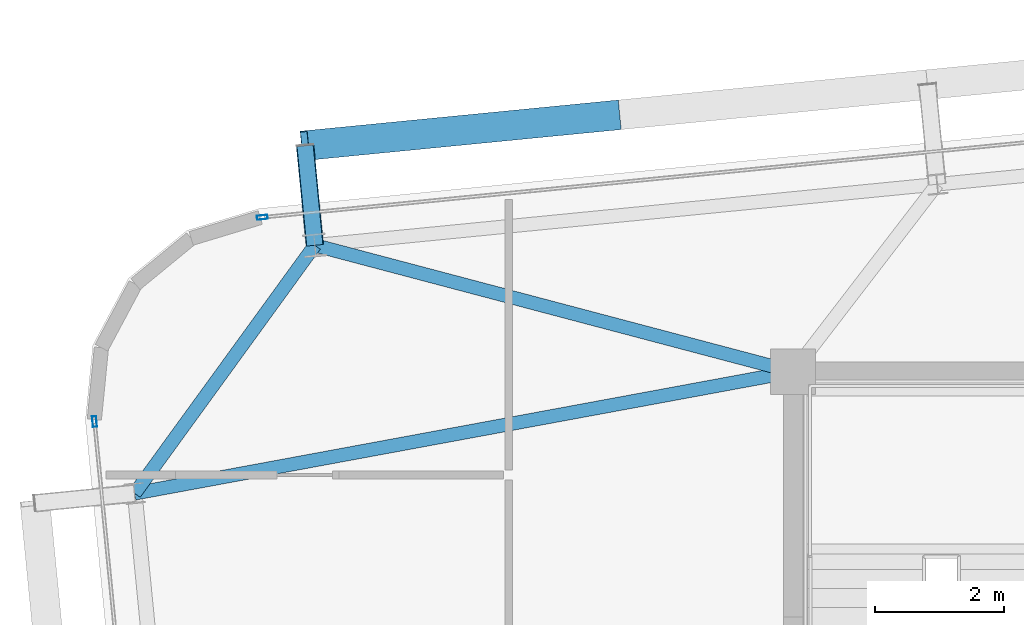
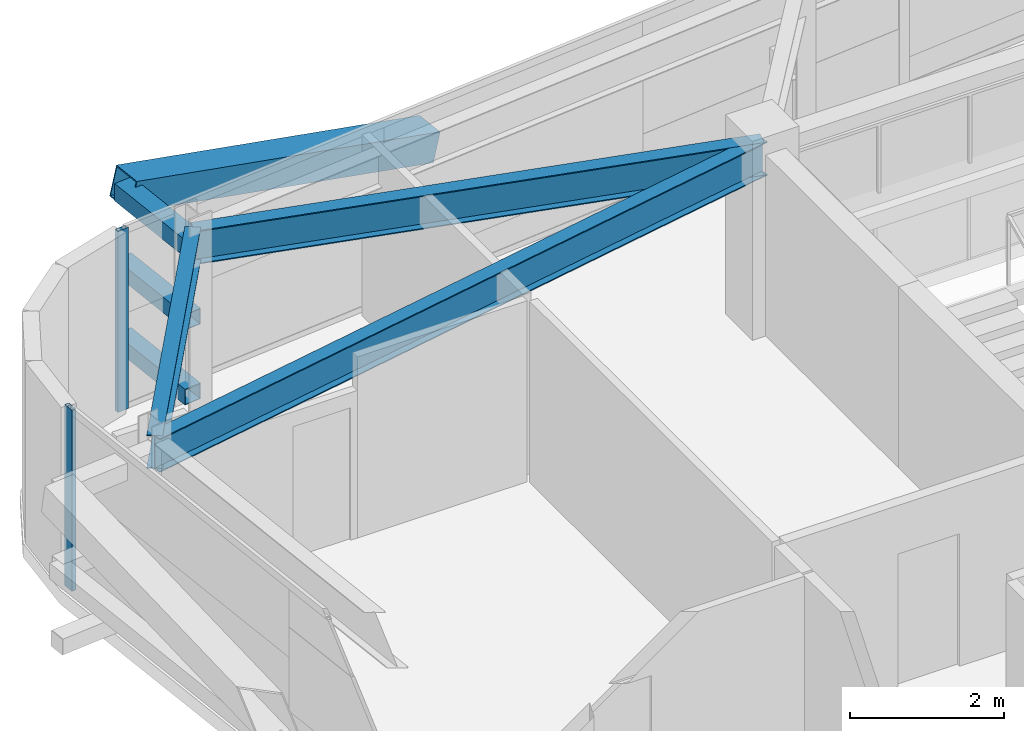
# One storey, part 24 of 47: 6 members, 3 beams, 2 elements without a shape of their own.
"""IFC4 building model written with IfcOpenShell, lengths in metres."""

from ifc_helpers import new_model, si_unit, direction, frame, origin, origin_2d, place, context, subcontext, project, spatial, hollow_rectangle, i_section, extrude, source, transform, mapped, material, layer, layer_set, material_profile, profile_set, type_object, element, aggregate, save


model = new_model("IFC4")

# Units and contexts
model_context = context("Model", 3, precision=1e-05, world=origin(), true_north=direction((0.0, 1.0)))
body_context = subcontext(model_context, "Body", "Model", "MODEL_VIEW")
ifc_project = project(units=[si_unit("LENGTHUNIT", "METRE"), si_unit("AREAUNIT", "SQUARE_METRE"), si_unit("VOLUMEUNIT", "CUBIC_METRE"), si_unit("PLANEANGLEUNIT", "RADIAN"), si_unit("MASSUNIT", "GRAM", prefix="KILO")], contexts=[model_context])

# Site, building, storey
site_placement = place(None, origin())
site = spatial("IfcSite", under=ifc_project, at=site_placement, CompositionType="ELEMENT")
building_placement = place(site_placement, origin())
building = spatial("IfcBuilding", under=site, at=building_placement, Name="Taldren Reach Tower", CompositionType="ELEMENT")
storey_placement = place(building_placement, frame((0.0, 0.0, 109.199951171875)))
storey = spatial("IfcBuildingStorey", under=building, at=storey_placement, Name="L33", CompositionType="ELEMENT", Elevation=109.199951171875)

# Beams
ifc_material_1 = material(Name="Steel Gr 350 (350PLUS)", Category="steel")
ifc_material_profile_1 = material_profile(ifc_material_1, i_section(OverallWidth=0.208984375, OverallDepth=0.528076171875, WebThickness=0.009521484375, FlangeThickness=0.01318359375, at=origin_2d()), Name="530UB82.0")
ifc_profile_set_1 = profile_set([ifc_material_profile_1], Name="Steel Gr 350 (350PLUS)")
beam_type_1 = type_object("IfcBeamType", Name="SP-UB530B", PredefinedType="SPANDREL", material=ifc_profile_set_1)
shared_shape_1 = source(origin(), body_context, "Body", "SweptSolid", [
    extrude(i_section(OverallWidth=0.208984375, OverallDepth=0.528076171875, WebThickness=0.009521484375, FlangeThickness=0.01318359375, at=origin_2d()), origin(), (0.0, 0.0, 1.0), 4.74609375),
])
beam_1_placement = place(storey_placement, frame((11.596923828125, 33.956787109375, 2.60595703125), z_axis=(-0.587565912237, -0.809176308833, 0.0), x_axis=(0.809176308833, -0.587565912237, 0.0)))
element("IfcBeam", 1, at=beam_1_placement, inside=storey, type_object=beam_type_1, Name="Perimeter spandrel B2 N1-W3 L33", PredefinedType="SPANDREL", context=body_context, shape_type="MappedRepresentation", body=[
    mapped(shared_shape_1, transform((0.0, 0.0, 0.0), scale=1.0)),
])
ifc_material_profile_2 = material_profile(ifc_material_1, i_section(OverallWidth=0.208984375, OverallDepth=0.532958984375, WebThickness=0.01025390625, FlangeThickness=0.015625, at=origin_2d()), Name="530UB92.4")
ifc_profile_set_2 = profile_set([ifc_material_profile_2], Name="Steel Gr 350 (350PLUS)")
beam_type_2 = type_object("IfcBeamType", Name="BM-UB530A", PredefinedType="BEAM", material=ifc_profile_set_2)
shared_shape_2 = source(origin(), body_context, "Body", "SweptSolid", [
    extrude(i_section(OverallWidth=0.208984375, OverallDepth=0.532958984375, WebThickness=0.01025390625, FlangeThickness=0.015625, at=origin_2d()), origin(), (0.0, 0.0, 1.0), 7.6572265625),
])
beam_2_placement = place(storey_placement, frame((19.0, 32.0, 2.603515625), z_axis=(-0.966797258245, 0.255544636904, 0.0), x_axis=(-0.255544636904, -0.966797258245, 0.0)))
element("IfcBeam", 2, at=beam_2_placement, inside=storey, type_object=beam_type_2, Name="Primary floor girder B2-N1 L33", PredefinedType="BEAM", context=body_context, shape_type="MappedRepresentation", body=[
    mapped(shared_shape_2, transform((0.0, 0.0, 0.0), scale=1.0)),
])
shared_shape_3 = source(origin(), body_context, "Body", "SweptSolid", [
    extrude(i_section(OverallWidth=0.208984375, OverallDepth=0.532958984375, WebThickness=0.01025390625, FlangeThickness=0.015625, at=origin_2d()), origin(), (0.0, 0.0, 1.0), 10.3642578125),
])
beam_3_placement = place(storey_placement, frame((19.0, 32.0, 2.603515625), z_axis=(-0.983347548213, -0.181734970283, 0.0), x_axis=(0.181734970283, -0.983347548213, 0.0)))
element("IfcBeam", 3, at=beam_3_placement, inside=storey, type_object=beam_type_2, Name="Primary floor girder B2-W3 L33", PredefinedType="BEAM", context=body_context, shape_type="MappedRepresentation", body=[
    mapped(shared_shape_3, transform((0.0, 0.0, 0.0), scale=1.0)),
])

# Members
ifc_material_2 = material(Name="Steel Gr 450 (C450L0)", Category="steel")
ifc_material_profile_3 = material_profile(ifc_material_2, hollow_rectangle(XDim=0.27490234375, YDim=0.27490234375, WallThickness=0.00927734375, at=origin_2d()), Name="275x275x9.3SHS")
ifc_profile_set_3 = profile_set([ifc_material_profile_3], Name="Steel Gr 450 (C450L0)")
member_type_1 = type_object("IfcMemberType", Name="MB-TIE273", PredefinedType="STRUT", material=ifc_profile_set_3)
shared_shape_4 = source(origin(), body_context, "Body", "SweptSolid", [
    extrude(hollow_rectangle(XDim=0.27490234375, YDim=0.27490234375, WallThickness=0.00927734375, at=origin_2d()), origin(), (0.0, 0.0, 1.0), 1.550048828125),
])
member_1_placement = place(storey_placement, frame((11.596923828125, 33.956787109375, 2.590087890625), z_axis=(-0.097647892962, 0.9952210252, 0.0), x_axis=(-0.9952210252, -0.097647892962, 0.0)))
element("IfcMember", 4, at=member_1_placement, inside=storey, type_object=member_type_1, Name="Exoskeleton diaphragm tie strut B2-N1 L33", PredefinedType="STRUT", context=body_context, shape_type="MappedRepresentation", body=[
    mapped(shared_shape_4, transform((0.0, 0.0, 0.0), scale=1.0)),
])
ifc_material_3 = material(Name="Steel Gr 350 (C350L0)", Category="steel")
ifc_material_profile_4 = material_profile(ifc_material_3, hollow_rectangle(XDim=0.25, YDim=0.25, WallThickness=0.010009765625, at=origin_2d()), Name="250x250x10.0SHS")
ifc_profile_set_4 = profile_set([ifc_material_profile_4], Name="Steel Gr 350 (C350L0)")
member_type_2 = type_object("IfcMemberType", Name="MB-POST250", PredefinedType="POST", material=ifc_profile_set_4)
shared_shape_5 = source(origin(), body_context, "Body", "SweptSolid", [
    extrude(hollow_rectangle(XDim=0.25, YDim=0.25, WallThickness=0.010009765625, at=origin_2d()), origin(), (0.0, 0.0, 1.0), 1.550048828125),
])
for number, where, z_axis, x_axis, name in (
    (5, (11.596923828125, 33.956787109375, 0.219970703125), (-0.097647892962, 0.9952210252, 0.0), (-0.9952210252, -0.097647892962, 0.0), "Exoskeleton base diaphragm tie strut B2-N1 L33"),
    (6, (11.596923828125, 33.956787109375, 1.405029296875), (-0.097647892962, 0.9952210252, 0.0), (-0.9952210252, -0.097647892962, 0.0), "Exoskeleton mid-tier diaphragm tie B2-N1 L33"),
):
    element("IfcMember", number, at=place(storey_placement, frame(where, z_axis=z_axis, x_axis=x_axis)), inside=storey, type_object=member_type_2, Name=name, PredefinedType="POST", context=body_context, shape_type="MappedRepresentation", body=[
        mapped(shared_shape_5, transform((0.0, 0.0, 0.0), scale=1.0)),
    ])
ifc_material_profile_5 = material_profile(ifc_material_2, hollow_rectangle(XDim=0.4599609375, YDim=0.4599609375, WallThickness=0.01611328125, at=origin_2d()), Name="460x460x16.0SHS")
ifc_profile_set_5 = profile_set([ifc_material_profile_5], Name="Steel Gr 450 (C450L0)")
member_type_3 = type_object("IfcMemberType", Name="MB-EXO457", PredefinedType="BRACE", material=ifc_profile_set_5)
shared_shape_6 = source(origin(), body_context, "Body", "SweptSolid", [
    extrude(hollow_rectangle(XDim=0.4599609375, YDim=0.4599609375, WallThickness=0.01611328125, at=origin_2d()), origin(), (0.0, 0.0, 1.0), 4.98291015625),
])
member_2_placement = place(storey_placement, frame((16.262451171875, 35.9716796875, 1.405029296875), z_axis=(-0.966675489194, -0.094756735738, 0.23782274833), x_axis=(0.097555749586, -0.995230061706, 0.0)))
element("IfcMember", 7, at=member_2_placement, inside=storey, type_object=member_type_3, Name="Exoskeleton Diagrid Brace B2-N1 L33", PredefinedType="BRACE", context=body_context, shape_type="MappedRepresentation", body=[
    mapped(shared_shape_6, transform((0.0, 0.0, 0.0), scale=1.0)),
])

# Curtain wall, member
ifc_material_4 = material(Name="Aluminium and Low-E Glass Unitised System", Category="aluminium")
ifc_layer = layer(ifc_material_4, 0.159912109375)
ifc_layer_set = layer_set([ifc_layer], Name="Aluminium and Low-E Glass Unitised System")
curtain_wall_type = type_object("IfcCurtainWallType", Name="CW-SYS-3", PredefinedType="NOTDEFINED", material=ifc_layer_set)
curtain_wall_1_placement = place(storey_placement, origin())
curtain_wall_1 = element("IfcCurtainWall", 8, at=curtain_wall_1_placement, inside=storey, type_object=curtain_wall_type, Name="Unitised curtain wall CW-L33-N", PredefinedType="NOTDEFINED")
ifc_material_5 = material(Name="Anodised Aluminium 6063-T6", Category="aluminium")
ifc_material_profile_6 = material_profile(ifc_material_5, hollow_rectangle(XDim=0.06494140625, YDim=0.1650390625, WallThickness=0.00390625, at=origin_2d()), Name="ALU-165x65x4RHS")
ifc_profile_set_6 = profile_set([ifc_material_profile_6], Name="Anodised Aluminium 6063-T6")
member_type_4 = type_object("IfcMemberType", Name="CW-MUL-165", PredefinedType="MULLION", material=ifc_profile_set_6)
shared_shape_7 = source(origin(), body_context, "Body", "SweptSolid", [
    extrude(hollow_rectangle(XDim=0.06494140625, YDim=0.1650390625, WallThickness=0.00390625, at=origin_2d()), origin(), (0.0, 0.0, 1.0), 2.8701171875),
])
member_3_placement = place(storey_placement, frame((10.783203125, 34.3896484375, 0.0), z_axis=(0.0, 0.0, 1.0), x_axis=(0.097582999046, -0.995227390247, 0.0)))
member_3 = element("IfcMember", 9, at=member_3_placement, type_object=member_type_4, Name="CW-3 mullion 5", PredefinedType="MULLION", context=body_context, shape_type="MappedRepresentation", body=[
    mapped(shared_shape_7, transform((0.0, 0.0, 0.0), scale=1.0)),
])
aggregate(curtain_wall_1, [member_3])

curtain_wall_2_placement = place(storey_placement, origin())
curtain_wall_2 = element("IfcCurtainWall", 10, at=curtain_wall_2_placement, inside=storey, type_object=curtain_wall_type, Name="Unitised curtain wall CW-L33-W", PredefinedType="NOTDEFINED")
member_4_placement = place(storey_placement, frame((8.186767578125, 31.228515625, 0.0), z_axis=(0.0, 0.0, 1.0), x_axis=(0.99522741555, 0.09758274098, 0.0)))
member_4 = element("IfcMember", 11, at=member_4_placement, type_object=member_type_4, Name="CW-3 mullion 1", PredefinedType="MULLION", context=body_context, shape_type="MappedRepresentation", body=[
    mapped(shared_shape_7, transform((0.0, 0.0, 0.0), scale=1.0)),
])
aggregate(curtain_wall_2, [member_4])

save(model, "model.ifc")
